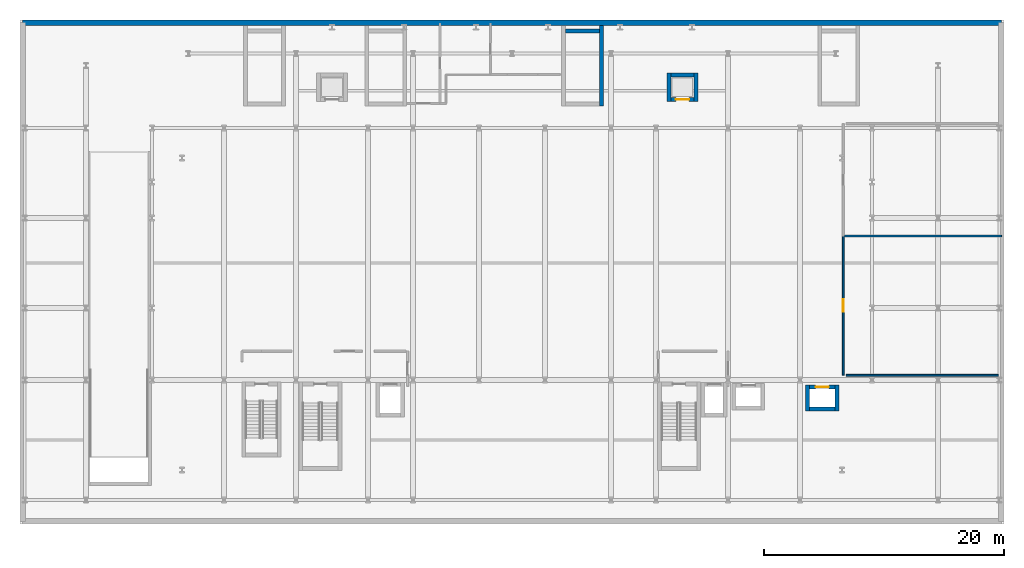
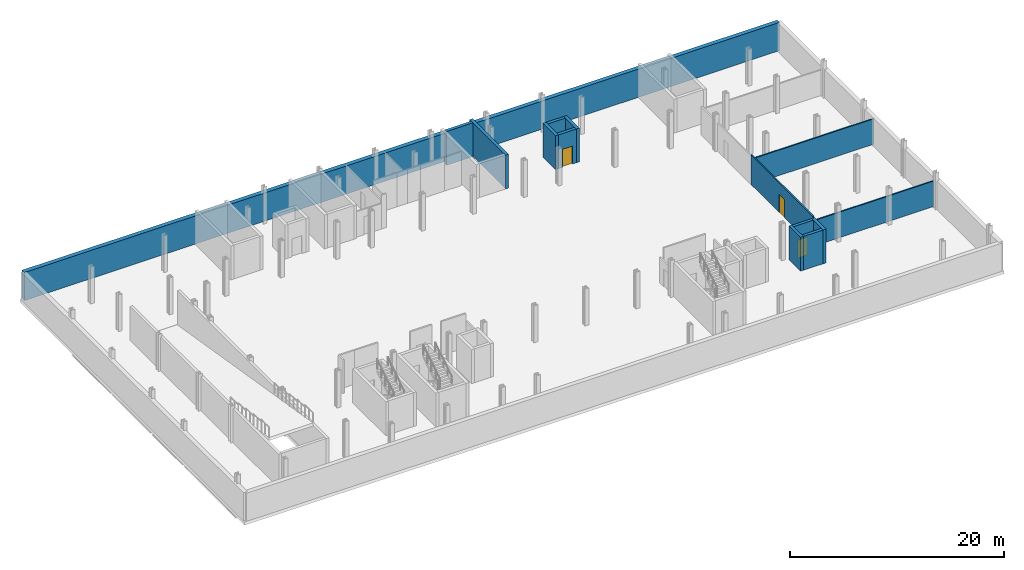
# One storey, part 7 of 12: 14 walls, 3 doors, 3 openings.
"""IFC4 building model written with IfcOpenShell, lengths in metres."""

from ifc_helpers import new_model, si_unit, direction, frame, frame_2d, origin, place, context, subcontext, project, spatial, rectangle, extrude, material, layer, layer_set, type_object, element, fill, save


model = new_model("IFC4")

# Units and contexts
model_context = context("Model", 3, precision=1e-05, world=origin(), true_north=direction((0.0, 1.0)))
body_context = subcontext(model_context, "Body", "Model", "MODEL_VIEW")
ifc_project = project(units=[si_unit("LENGTHUNIT", "METRE"), si_unit("AREAUNIT", "SQUARE_METRE"), si_unit("VOLUMEUNIT", "CUBIC_METRE"), si_unit("PLANEANGLEUNIT", "RADIAN"), si_unit("MASSUNIT", "GRAM", prefix="KILO")], contexts=[model_context])

# Site, building, storey
site_placement = place(None, origin())
site = spatial("IfcSite", under=ifc_project, at=site_placement, CompositionType="ELEMENT")
building_placement = place(site_placement, origin())
building = spatial("IfcBuilding", under=site, at=building_placement, Name="Brevholm Reach", CompositionType="ELEMENT")
storey_placement = place(building_placement, frame((0.0, 0.0, -4.199951171875)))
storey = spatial("IfcBuildingStorey", under=building, at=storey_placement, Name="B01", CompositionType="ELEMENT", Elevation=-4.199951171875)

# Walls
ifc_material_1 = material(Name="Concrete C60/75", Category="concrete")
ifc_layer_1 = layer(ifc_material_1, 0.320068359375)
ifc_layer_set_1 = layer_set([ifc_layer_1], Name="Concrete C60/75")
wall_type_1 = type_object("IfcWallType", Name="WAL-COR-320", PredefinedType="SHEAR", material=ifc_layer_set_1)
for number, where, z_axis, x_axis, name in (
    (1, (54.6298828125, 7.419921875, 0.0), (0.0, 0.0, 1.0), (0.0, 1.0, 0.0), "B01 Lift PL-L2 Shaft Wall W"),
    (2, (57.070068359375, 7.419921875, 0.0), (0.0, 0.0, 1.0), (0.0, 1.0, 0.0), "B01 Lift PL-L2 Shaft Wall E"),
):
    element("IfcWall", number, at=place(storey_placement, frame(where, z_axis=z_axis, x_axis=x_axis)), inside=storey, type_object=wall_type_1, Name=name, PredefinedType="SHEAR", context=body_context, shape_type="SweptSolid", body=[
        extrude(rectangle(XDim=2.16015625, YDim=0.320068359375, at=frame_2d((1.080078125, 0.0))), origin(), (0.0, 0.0, 1.0), 3.85986328125),
    ])
wall_1_placement = place(storey_placement, frame((54.7900390625, 7.580078125, 0.0), z_axis=(0.0, 0.0, 1.0), x_axis=(1.0, 0.0, 0.0)))
element("IfcWall", 3, at=wall_1_placement, inside=storey, type_object=wall_type_1, Name="B01 Lift PL-L2 Shaft Wall S", PredefinedType="SHEAR", context=body_context, shape_type="SweptSolid", body=[
    extrude(rectangle(XDim=2.119873046875, YDim=0.320068359375, at=frame_2d((1.06005859375, 0.0))), origin(), (0.0, 0.0, 1.0), 3.85986328125),
])

# Wall, opening, door
wall_2_placement = place(storey_placement, frame((54.7900390625, 9.419921875, 0.0), z_axis=(0.0, 0.0, 1.0), x_axis=(1.0, 0.0, 0.0)))
wall_2 = element("IfcWall", 4, at=wall_2_placement, inside=storey, type_object=wall_type_1, Name="B01 Lift PL-L2 Shaft Wall N", PredefinedType="SHEAR", context=body_context, shape_type="SweptSolid", body=[
    extrude(rectangle(XDim=2.119873046875, YDim=0.320068359375, at=frame_2d((1.06005859375, 0.0))), origin(), (0.0, 0.0, 1.0), 3.85986328125),
])
opening_1_placement = place(wall_2_placement, frame((0.510009765625, 0.0, 0.0)))
opening_1 = element("IfcOpeningElement", 5, at=opening_1_placement, cuts=wall_2, Name="Opening LD-PL-L2", PredefinedType="OPENING", context=body_context, shape_type="SweptSolid", body=[
    extrude(rectangle(XDim=1.10009765625, YDim=2.06005859375, at=frame_2d((0.550048828125, 1.030029296875))), frame((0.0, 0.169921875, 0.0), z_axis=(0.0, -1.0, 0.0), x_axis=(1.0, 0.0, 0.0)), (0.0, 0.0, 1.0), 0.340087890625),
])
ifc_material_2 = material(Name="Brushed Stainless Steel Fire-Rated Sliding Lift Door", Category="steel")
door_type_1 = type_object("IfcDoorType", Name="DOR-LFT-1100", OperationType="NOTDEFINED", PredefinedType="DOOR", material=ifc_material_2)
door_1_placement = place(opening_1_placement, origin())
door_1 = element("IfcDoor", 6, at=door_1_placement, inside=storey, type_object=door_type_1, Name="B01 Lift PL-L2 Sliding Landing Door", OperationType="SLIDING_TO_RIGHT", OverallHeight=2.06005859375, OverallWidth=1.10009765625, PredefinedType="DOOR", context=body_context, shape_type="SweptSolid", body=[
    extrude(rectangle(XDim=1.10009765625, YDim=2.06005859375, at=frame_2d((0.550048828125, 1.030029296875))), frame((0.0, 0.02490234375, 0.0), z_axis=(0.0, -1.0, 0.0), x_axis=(1.0, 0.0, 0.0)), (0.0, 0.0, 1.0), 0.050048828125),
])
fill(opening_1, door_1)

# Walls
for number, where, z_axis, x_axis, name in (
    (7, (43.080078125, 33.219970703125, 0.0), (0.0, 0.0, 1.0), (0.0, 1.0, 0.0), "B01 Lift SL-2 Shaft Wall W"),
    (8, (45.320068359375, 33.219970703125, 0.0), (0.0, 0.0, 1.0), (0.0, 1.0, 0.0), "B01 Lift SL-2 Shaft Wall E"),
):
    element("IfcWall", number, at=place(storey_placement, frame(where, z_axis=z_axis, x_axis=x_axis)), inside=storey, type_object=wall_type_1, Name=name, PredefinedType="SHEAR", context=body_context, shape_type="SweptSolid", body=[
        extrude(rectangle(XDim=2.360107421875, YDim=0.320068359375, at=frame_2d((1.18017578125, 0.0))), origin(), (0.0, 0.0, 1.0), 3.85986328125),
    ])

# Wall, opening, door
wall_3_placement = place(storey_placement, frame((43.239990234375, 33.3798828125, 0.0), z_axis=(0.0, 0.0, 1.0), x_axis=(1.0, 0.0, 0.0)))
wall_3 = element("IfcWall", 9, at=wall_3_placement, inside=storey, type_object=wall_type_1, Name="B01 Lift SL-2 Shaft Wall S", PredefinedType="SHEAR", context=body_context, shape_type="SweptSolid", body=[
    extrude(rectangle(XDim=1.919921875, YDim=0.320068359375, at=frame_2d((0.9599609375, 0.0))), origin(), (0.0, 0.0, 1.0), 3.85986328125),
])
opening_2_placement = place(wall_3_placement, frame((0.409912109375, 0.0, 0.0)))
opening_2 = element("IfcOpeningElement", 10, at=opening_2_placement, cuts=wall_3, Name="Opening LD-SL-2", PredefinedType="OPENING", context=body_context, shape_type="SweptSolid", body=[
    extrude(rectangle(XDim=1.10009765625, YDim=2.06005859375, at=frame_2d((0.550048828125, 1.030029296875))), frame((0.0, 0.169921875, 0.0), z_axis=(0.0, -1.0, 0.0), x_axis=(1.0, 0.0, 0.0)), (0.0, 0.0, 1.0), 0.340087890625),
])
door_2_placement = place(opening_2_placement, origin())
door_2 = element("IfcDoor", 11, at=door_2_placement, inside=storey, type_object=door_type_1, Name="B01 Lift SL-2 Sliding Landing Door", OperationType="SLIDING_TO_RIGHT", OverallHeight=2.06005859375, OverallWidth=1.10009765625, PredefinedType="DOOR", context=body_context, shape_type="SweptSolid", body=[
    extrude(rectangle(XDim=1.10009765625, YDim=2.06005859375, at=frame_2d((0.550048828125, 1.030029296875))), frame((0.0, 0.02490234375, 0.0), z_axis=(0.0, -1.0, 0.0), x_axis=(1.0, 0.0, 0.0)), (0.0, 0.0, 1.0), 0.050048828125),
])
fill(opening_2, door_2)

# Walls
wall_4_placement = place(storey_placement, frame((43.239990234375, 35.419921875, 0.0), z_axis=(0.0, 0.0, 1.0), x_axis=(1.0, 0.0, 0.0)))
element("IfcWall", 12, at=wall_4_placement, inside=storey, type_object=wall_type_1, Name="B01 Lift SL-2 Shaft Wall N", PredefinedType="SHEAR", context=body_context, shape_type="SweptSolid", body=[
    extrude(rectangle(XDim=1.919921875, YDim=0.320068359375, at=frame_2d((0.9599609375, 0.0))), origin(), (0.0, 0.0, 1.0), 3.85986328125),
])
wall_5_placement = place(storey_placement, frame((37.4599609375, 32.830078125, 0.0), z_axis=(0.0, 0.0, 1.0), x_axis=(0.0, 1.0, 0.0)))
element("IfcWall", 13, at=wall_5_placement, inside=storey, type_object=wall_type_1, Name="B01 North Stair Plinth Shear Wall ST-S3-E", PredefinedType="SHEAR", context=body_context, shape_type="SweptSolid", body=[
    extrude(rectangle(XDim=6.719970703125, YDim=0.320068359375, at=frame_2d((3.35986328125, 0.0))), origin(), (0.0, 0.0, 1.0), 3.85986328125),
])
wall_6_placement = place(storey_placement, frame((34.449951171875, 39.090087890625, 0.0), z_axis=(0.0, 0.0, 1.0), x_axis=(1.0, 0.0, 0.0)))
element("IfcWall", 14, at=wall_6_placement, inside=storey, type_object=wall_type_1, Name="B01 North Stair Plinth Shear Wall ST-S3-N", PredefinedType="SHEAR", context=body_context, shape_type="SweptSolid", body=[
    extrude(rectangle(XDim=2.85009765625, YDim=0.320068359375, at=frame_2d((1.425048828125, 0.0))), origin(), (0.0, 0.0, 1.0), 3.85986328125),
])

# Wall, opening, door
ifc_material_3 = material(Name="Twin-Stud Acoustic Fire-Rated Gypsum Partition 140 mm", Category="gypsum")
ifc_layer_2 = layer(ifc_material_3, 0.139892578125)
ifc_layer_set_2 = layer_set([ifc_layer_2], Name="Twin-Stud Acoustic Fire-Rated Gypsum Partition 140 mm")
wall_type_2 = type_object("IfcWallType", Name="WAL-PRT-140", PredefinedType="PARTITIONING", material=ifc_layer_set_2)
wall_7_placement = place(storey_placement, frame((57.60009765625, 10.39990234375, 0.0), z_axis=(0.0, 0.0, 1.0), x_axis=(0.0, 1.0, 0.0)))
wall_7 = element("IfcWall", 15, at=wall_7_placement, inside=storey, type_object=wall_type_2, Name="B01 Internal Partition 018", PredefinedType="PARTITIONING", context=body_context, shape_type="SweptSolid", body=[
    extrude(rectangle(XDim=11.611328125, YDim=0.139892578125, at=frame_2d((5.8056640625, 0.0))), origin(), (0.0, 0.0, 1.0), 3.3779296875),
])
opening_3_placement = place(wall_7_placement, frame((5.280517578125, 0.0, 0.0)))
opening_3 = element("IfcOpeningElement", 16, at=opening_3_placement, cuts=wall_7, Name="Opening FD-01", PredefinedType="OPENING", context=body_context, shape_type="SweptSolid", body=[
    extrude(rectangle(XDim=1.050048828125, YDim=2.06005859375, at=frame_2d((0.52490234375, 1.030029296875))), frame((0.0, 0.079833984375, 0.0), z_axis=(0.0, -1.0, 0.0), x_axis=(1.0, 0.0, 0.0)), (0.0, 0.0, 1.0), 0.159912109375),
])
ifc_material_4 = material(Name="Hardwood-Lipped Steel-Core Fire and Smoke Door", Category="steel")
door_type_2 = type_object("IfcDoorType", Name="DOR-INT-FD60S", OperationType="NOTDEFINED", PredefinedType="DOOR", material=ifc_material_4)
door_3_placement = place(opening_3_placement, origin())
door_3 = element("IfcDoor", 17, at=door_3_placement, inside=storey, type_object=door_type_2, Name="B01 Internal Door 006", OperationType="SINGLE_SWING_RIGHT", OverallHeight=2.06005859375, OverallWidth=1.050048828125, PredefinedType="DOOR", context=body_context, shape_type="SweptSolid", body=[
    extrude(rectangle(XDim=1.050048828125, YDim=2.06005859375, at=frame_2d((0.52490234375, 1.030029296875))), frame((0.0, 0.02490234375, 0.0), z_axis=(0.0, -1.0, 0.0), x_axis=(1.0, 0.0, 0.0)), (0.0, 0.0, 1.0), 0.050048828125),
])
fill(opening_3, door_3)

# Walls
wall_8_placement = place(storey_placement, frame((57.60400390625, 22.0, 0.0), z_axis=(0.0, 0.0, 1.0), x_axis=(1.0, 0.0, 0.0)))
element("IfcWall", 18, at=wall_8_placement, inside=storey, type_object=wall_type_2, Name="B01 Internal Partition 020", PredefinedType="PARTITIONING", context=body_context, shape_type="SweptSolid", body=[
    extrude(rectangle(XDim=13.196044921875, YDim=0.139892578125, at=frame_2d((6.59814453125, 0.0))), origin(), (0.0, 0.0, 1.0), 2.908447265625),
])
wall_9_placement = place(storey_placement, frame((57.840087890625, 10.39990234375, 0.0), z_axis=(0.0, 0.0, 1.0), x_axis=(1.0, 0.0, 0.0)))
element("IfcWall", 19, at=wall_9_placement, inside=storey, type_object=wall_type_2, Name="B01 Internal Partition 023", PredefinedType="PARTITIONING", context=body_context, shape_type="SweptSolid", body=[
    extrude(rectangle(XDim=12.69482421875, YDim=0.139892578125, at=frame_2d((6.347412109375, 0.0))), origin(), (0.0, 0.0, 1.0), 2.908447265625),
])
ifc_material_5 = material(Name="Concrete C45/55", Category="concrete")
ifc_layer_3 = layer(ifc_material_5, 0.449951171875)
ifc_layer_set_3 = layer_set([ifc_layer_3], Name="Concrete C45/55")
wall_type_3 = type_object("IfcWallType", Name="WAL-RET-450", PredefinedType="SHEAR", material=ifc_layer_set_3)
wall_10_placement = place(storey_placement, frame((70.77490234375, 39.77490234375, 0.0), z_axis=(0.0, 0.0, 1.0), x_axis=(-1.0, 0.0, 0.0)))
element("IfcWall", 20, at=wall_10_placement, inside=storey, type_object=wall_type_3, Name="B01 Facade Wall WAL-B01-RET-3", PredefinedType="SHEAR", context=body_context, shape_type="SweptSolid", body=[
    extrude(rectangle(XDim=81.5498046875, YDim=0.449951171875, at=frame_2d((40.77490234375, 0.0))), origin(), (0.0, 0.0, 1.0), 3.219970703125),
])

save(model, "model.ifc")
